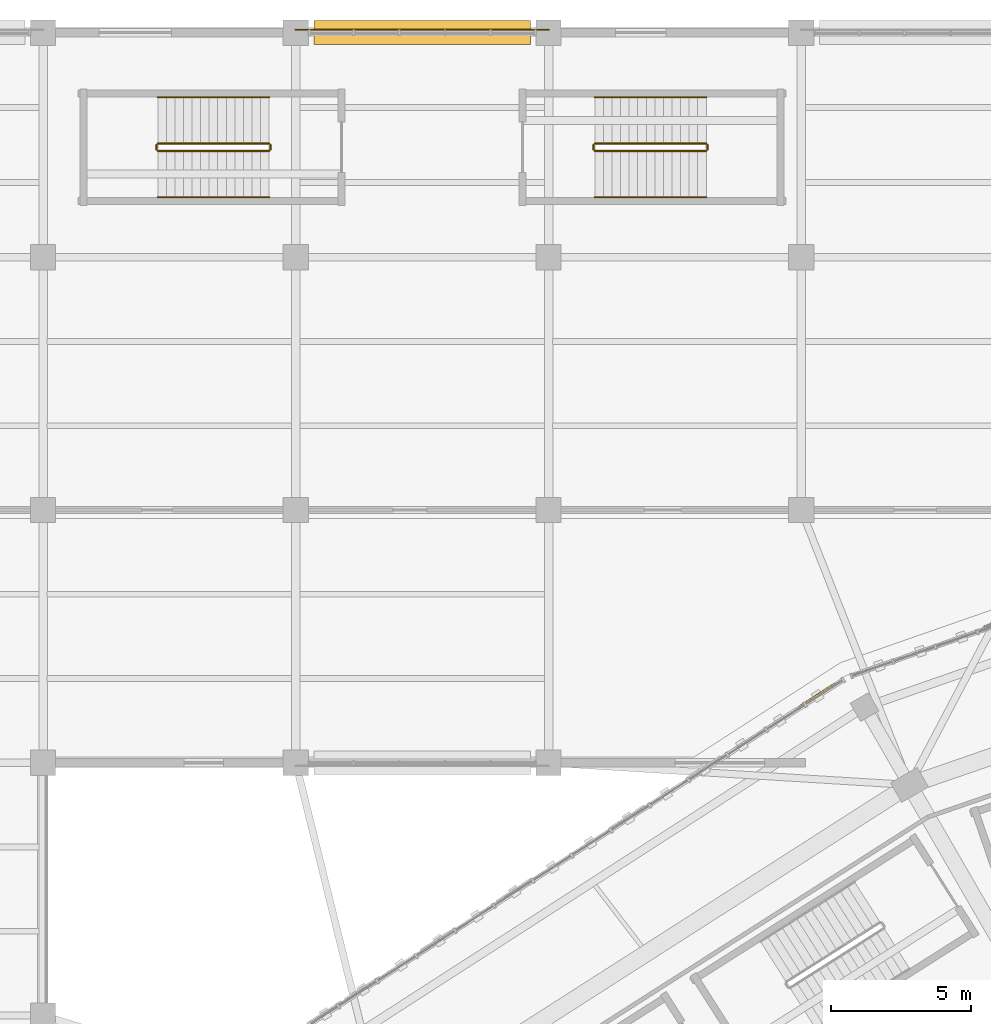
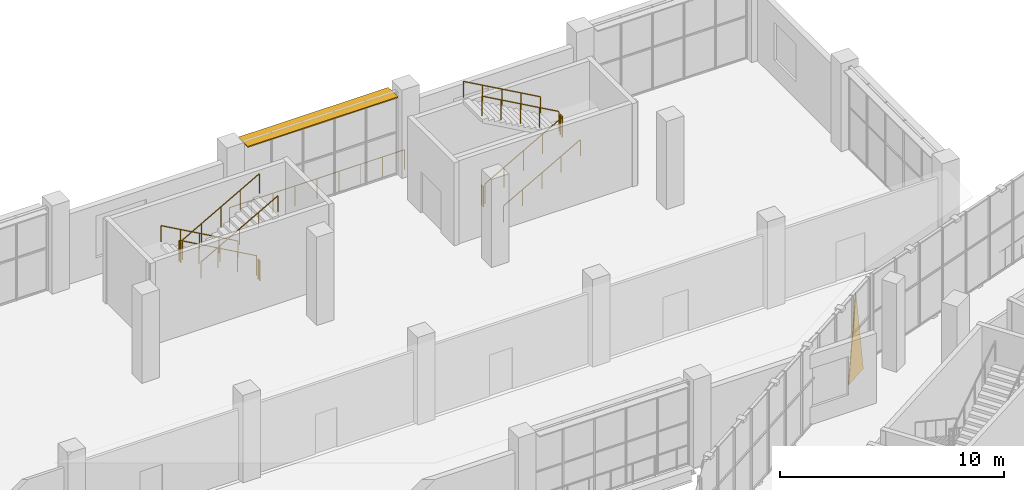
# One storey, part 164 of 183: 13 railings, 1 covering, 1 shading device.
"""IFC4 building model written with IfcOpenShell, lengths in metres."""

from ifc_helpers import new_model, si_unit, direction, frame, origin, origin_2d, place, context, subcontext, project, spatial, polyline, rectangle, circle, outline, extrude, material, layer, layer_set, type_object, element, save


model = new_model("IFC4")

# Units and contexts
model_context = context("Model", 3, precision=1e-05, world=origin(), true_north=direction((0.0, 1.0)))
body_context = subcontext(model_context, "Body", "Model", "MODEL_VIEW")
ifc_project = project(units=[si_unit("LENGTHUNIT", "METRE"), si_unit("AREAUNIT", "SQUARE_METRE"), si_unit("VOLUMEUNIT", "CUBIC_METRE"), si_unit("PLANEANGLEUNIT", "RADIAN"), si_unit("MASSUNIT", "GRAM", prefix="KILO")], contexts=[model_context])

# Site, building, storey
site_placement = place(None, origin())
site = spatial("IfcSite", under=ifc_project, at=site_placement, CompositionType="ELEMENT")
building_placement = place(site_placement, origin())
building = spatial("IfcBuilding", under=site, at=building_placement, Name="Zevraka Park Crest Stadium", CompositionType="ELEMENT")
storey_placement = place(building_placement, frame((0.0, 0.0, 5.39990234375)))
storey = spatial("IfcBuildingStorey", under=building, at=storey_placement, Name="L01", CompositionType="ELEMENT", Elevation=5.39990234375)

# Covering
ifc_material_1 = material(Name="Architectural golden-bronze perforated aluminium", Category="aluminium")
ifc_layer_1 = layer(ifc_material_1, 0.034912109375)
ifc_layer_set_1 = layer_set([ifc_layer_1], Name="Architectural golden-bronze perforated aluminium")
covering_type = type_object("IfcCoveringType", Name="CLD01", PredefinedType="CLADDING", material=ifc_layer_set_1)
covering_placement = place(storey_placement, frame((64.155029296875, 160.821044921875, -0.260009765625), z_axis=(-0.542438504887, 0.840095510683, 3.668756e-05), x_axis=(-0.840095511248, -0.542438505252, 0.0)))
element("IfcCovering", 1, at=covering_placement, inside=storey, type_object=covering_type, Name="Triangular Golden-Bronze Perforated Cladding L01-08-1", PredefinedType="CLADDING", context=body_context, shape_type="SweptSolid", body=[
    extrude(outline(polyline([(0.0, 0.0), (1.4452063031746218, 0.0), (0.7225668165035711, 4.6000976593458125), (0.0, 0.0)])), origin(), (0.0, 0.0, -1.0), 0.034912109375),
])

# Railings
ifc_material_2 = material(Name="Galvanised and bronze-finished steel balustrade", Category="steel")
railing_type_1 = type_object("IfcRailingType", Name="GR01", PredefinedType="GUARDRAIL", material=ifc_material_2)
railing_1_placement = place(storey_placement, frame((44.990966796875, 184.10498046875, 0.0)))
element("IfcRailing", 2, at=railing_1_placement, inside=storey, type_object=railing_type_1, Name="Deck Edge Protection Guardrail GR01 L01-3", PredefinedType="GUARDRAIL", context=body_context, shape_type="SweptSolid", body=[
    extrude(circle(Radius=0.02392578125, at=origin_2d()), frame((0.0, 0.0, 1.076171875), z_axis=(1.0, 0.0, 0.0), x_axis=(0.0, 1.0, 0.0)), (0.0, 0.0, 1.0), 9.01806640625),
    extrude(circle(Radius=0.02099609375, at=origin_2d()), origin(), (0.0, 0.0, 1.0), 1.052001953125),
    extrude(circle(Radius=0.02099609375, at=origin_2d()), frame((1.127197265625, 0.0, 0.0)), (0.0, 0.0, 1.0), 1.052001953125),
    extrude(circle(Radius=0.02099609375, at=origin_2d()), frame((2.25439453125, 0.0, 0.0)), (0.0, 0.0, 1.0), 1.052001953125),
    extrude(circle(Radius=0.02099609375, at=origin_2d()), frame((3.3818359375, 0.0, 0.0)), (0.0, 0.0, 1.0), 1.052001953125),
    extrude(circle(Radius=0.02099609375, at=origin_2d()), frame((4.509033203125, 0.0, 0.0)), (0.0, 0.0, 1.0), 1.052001953125),
    extrude(circle(Radius=0.02099609375, at=origin_2d()), frame((5.63623046875, 0.0, 0.0)), (0.0, 0.0, 1.0), 1.052001953125),
    extrude(circle(Radius=0.02099609375, at=origin_2d()), frame((6.763671875, 0.0, 0.0)), (0.0, 0.0, 1.0), 1.052001953125),
    extrude(circle(Radius=0.02099609375, at=origin_2d()), frame((7.890869140625, 0.0, 0.0)), (0.0, 0.0, 1.0), 1.052001953125),
    extrude(circle(Radius=0.02099609375, at=origin_2d()), frame((9.01806640625, 0.0, 0.0)), (0.0, 0.0, 1.0), 1.052001953125),
])
ifc_material_3 = material(Name="Powder-coated tubular steel stairwell guard", Category="steel")
railing_type_2 = type_object("IfcRailingType", Name="GR03", PredefinedType="GUARDRAIL", material=ifc_material_3)
railing_2_placement = place(storey_placement, frame((44.050048828125, 180.050048828125, 0.171630859375)))
element("IfcRailing", 3, at=railing_2_placement, inside=storey, type_object=railing_type_2, Name="L01 ST49 stair guard 1", PredefinedType="GUARDRAIL", context=body_context, shape_type="SweptSolid", body=[
    extrude(circle(Radius=0.02392578125, at=origin_2d()), frame((0.0, 0.0, 1.076171875), z_axis=(-0.871748933509, 0.0, 0.489952851738), x_axis=(0.0, -1.0, 0.0)), (0.0, 0.0, 1.0), 4.54833984375),
    extrude(circle(Radius=0.02099609375, at=origin_2d()), origin(), (0.0, 0.0, 1.0), 1.052001953125),
    extrude(circle(Radius=0.02099609375, at=origin_2d()), frame((-0.9912109375, 0.0, 0.55712890625)), (0.0, 0.0, 1.0), 1.052001953125),
    extrude(circle(Radius=0.02099609375, at=origin_2d()), frame((-1.982421875, 0.0, 1.1142578125)), (0.0, 0.0, 1.0), 1.052001953125),
    extrude(circle(Radius=0.02099609375, at=origin_2d()), frame((-2.973876953125, 0.0, 1.67138671875)), (0.0, 0.0, 1.0), 1.052001953125),
    extrude(circle(Radius=0.02099609375, at=origin_2d()), frame((-3.965087890625, 0.0, 2.228515625)), (0.0, 0.0, 1.0), 1.052001953125),
])
railing_3_placement = place(storey_placement, frame((40.034912109375, 180.0, 2.400146484375)))
element("IfcRailing", 4, at=railing_3_placement, inside=storey, type_object=railing_type_2, Name="L01 ST49 stair guard 2", PredefinedType="GUARDRAIL", context=body_context, shape_type="SweptSolid", body=[
    extrude(circle(Radius=0.02392578125, at=origin_2d()), frame((0.0, 0.0, 1.076171875), z_axis=(0.0, -1.0, 0.0), x_axis=(1.0, 0.0, 0.0)), (0.0, 0.0, 1.0), 0.159912109375),
    extrude(circle(Radius=0.02099609375, at=origin_2d()), origin(), (0.0, 0.0, 1.0), 1.052001953125),
    extrude(circle(Radius=0.02099609375, at=origin_2d()), frame((0.0, -0.159912109375, 0.0)), (0.0, 0.0, 1.0), 1.052001953125),
])
railing_4_placement = place(storey_placement, frame((40.0849609375, 179.7900390625, 2.571533203125)))
element("IfcRailing", 5, at=railing_4_placement, inside=storey, type_object=railing_type_2, Name="L01 ST49 stair guard 3", PredefinedType="GUARDRAIL", context=body_context, shape_type="SweptSolid", body=[
    extrude(circle(Radius=0.02392578125, at=origin_2d()), frame((0.0, 0.0, 1.076171875), z_axis=(0.871748933509, 0.0, 0.489952851738), x_axis=(0.0, 1.0, 0.0)), (0.0, 0.0, 1.0), 4.54833984375),
    extrude(circle(Radius=0.02099609375, at=origin_2d()), origin(), (0.0, 0.0, 1.0), 1.052001953125),
    extrude(circle(Radius=0.02099609375, at=origin_2d()), frame((0.9912109375, 0.0, 0.55712890625)), (0.0, 0.0, 1.0), 1.052001953125),
    extrude(circle(Radius=0.02099609375, at=origin_2d()), frame((1.982421875, 0.0, 1.1142578125)), (0.0, 0.0, 1.0), 1.052001953125),
    extrude(circle(Radius=0.02099609375, at=origin_2d()), frame((2.973876953125, 0.0, 1.67138671875)), (0.0, 0.0, 1.0), 1.052001953125),
    extrude(circle(Radius=0.02099609375, at=origin_2d()), frame((3.965087890625, 0.0, 2.228515625)), (0.0, 0.0, 1.0), 1.052001953125),
])
railing_5_placement = place(storey_placement, frame((44.10009765625, 180.0, 0.0)))
element("IfcRailing", 6, at=railing_5_placement, inside=storey, type_object=railing_type_2, Name="L01 ST49 stair guard 4", PredefinedType="GUARDRAIL", context=body_context, shape_type="SweptSolid", body=[
    extrude(circle(Radius=0.02392578125, at=origin_2d()), frame((0.0, 0.0, 1.076171875), z_axis=(0.0, -1.0, 0.0), x_axis=(1.0, 0.0, 0.0)), (0.0, 0.0, 1.0), 0.159912109375),
    extrude(circle(Radius=0.02099609375, at=origin_2d()), origin(), (0.0, 0.0, 1.0), 1.052001953125),
    extrude(circle(Radius=0.02099609375, at=origin_2d()), frame((0.0, -0.159912109375, 0.0)), (0.0, 0.0, 1.0), 1.052001953125),
])
railing_6_placement = place(storey_placement, frame((55.64990234375, 179.7900390625, 0.171630859375)))
element("IfcRailing", 7, at=railing_6_placement, inside=storey, type_object=railing_type_2, Name="L01 ST50 stair guard 1", PredefinedType="GUARDRAIL", context=body_context, shape_type="SweptSolid", body=[
    extrude(circle(Radius=0.02392578125, at=origin_2d()), frame((0.0, 0.0, 1.076171875), z_axis=(0.871748933509, 0.0, 0.489952851738), x_axis=(0.0, 1.0, 0.0)), (0.0, 0.0, 1.0), 4.54833984375),
    extrude(circle(Radius=0.02099609375, at=origin_2d()), origin(), (0.0, 0.0, 1.0), 1.052001953125),
    extrude(circle(Radius=0.02099609375, at=origin_2d()), frame((0.9912109375, 0.0, 0.55712890625)), (0.0, 0.0, 1.0), 1.052001953125),
    extrude(circle(Radius=0.02099609375, at=origin_2d()), frame((1.982421875, 0.0, 1.1142578125)), (0.0, 0.0, 1.0), 1.052001953125),
    extrude(circle(Radius=0.02099609375, at=origin_2d()), frame((2.973876953125, 0.0, 1.67138671875)), (0.0, 0.0, 1.0), 1.052001953125),
    extrude(circle(Radius=0.02099609375, at=origin_2d()), frame((3.965087890625, 0.0, 2.228515625)), (0.0, 0.0, 1.0), 1.052001953125),
])
railing_7_placement = place(storey_placement, frame((59.6650390625, 179.840087890625, 2.400146484375)))
element("IfcRailing", 8, at=railing_7_placement, inside=storey, type_object=railing_type_2, Name="L01 ST50 stair guard 2", PredefinedType="GUARDRAIL", context=body_context, shape_type="SweptSolid", body=[
    extrude(circle(Radius=0.02392578125, at=origin_2d()), frame((0.0, 0.0, 1.076171875), z_axis=(0.0, 1.0, 0.0), x_axis=(-1.0, 0.0, 0.0)), (0.0, 0.0, 1.0), 0.159912109375),
    extrude(circle(Radius=0.02099609375, at=origin_2d()), origin(), (0.0, 0.0, 1.0), 1.052001953125),
    extrude(circle(Radius=0.02099609375, at=origin_2d()), frame((0.0, 0.159912109375, 0.0)), (0.0, 0.0, 1.0), 1.052001953125),
])
railing_8_placement = place(storey_placement, frame((59.614990234375, 180.050048828125, 2.571533203125)))
element("IfcRailing", 9, at=railing_8_placement, inside=storey, type_object=railing_type_2, Name="L01 ST50 stair guard 3", PredefinedType="GUARDRAIL", context=body_context, shape_type="SweptSolid", body=[
    extrude(circle(Radius=0.02392578125, at=origin_2d()), frame((0.0, 0.0, 1.076171875), z_axis=(-0.871748933509, 0.0, 0.489952851738), x_axis=(0.0, -1.0, 0.0)), (0.0, 0.0, 1.0), 4.54833984375),
    extrude(circle(Radius=0.02099609375, at=origin_2d()), origin(), (0.0, 0.0, 1.0), 1.052001953125),
    extrude(circle(Radius=0.02099609375, at=origin_2d()), frame((-0.9912109375, 0.0, 0.55712890625)), (0.0, 0.0, 1.0), 1.052001953125),
    extrude(circle(Radius=0.02099609375, at=origin_2d()), frame((-1.982421875, 0.0, 1.1142578125)), (0.0, 0.0, 1.0), 1.052001953125),
    extrude(circle(Radius=0.02099609375, at=origin_2d()), frame((-2.973876953125, 0.0, 1.67138671875)), (0.0, 0.0, 1.0), 1.052001953125),
    extrude(circle(Radius=0.02099609375, at=origin_2d()), frame((-3.965087890625, 0.0, 2.228515625)), (0.0, 0.0, 1.0), 1.052001953125),
])
railing_9_placement = place(storey_placement, frame((55.60009765625, 179.840087890625, 0.0)))
element("IfcRailing", 10, at=railing_9_placement, inside=storey, type_object=railing_type_2, Name="L01 ST50 stair guard 4", PredefinedType="GUARDRAIL", context=body_context, shape_type="SweptSolid", body=[
    extrude(circle(Radius=0.02392578125, at=origin_2d()), frame((0.0, 0.0, 1.076171875), z_axis=(0.0, 1.0, 0.0), x_axis=(-1.0, 0.0, 0.0)), (0.0, 0.0, 1.0), 0.159912109375),
    extrude(circle(Radius=0.02099609375, at=origin_2d()), origin(), (0.0, 0.0, 1.0), 1.052001953125),
    extrude(circle(Radius=0.02099609375, at=origin_2d()), frame((0.0, 0.159912109375, 0.0)), (0.0, 0.0, 1.0), 1.052001953125),
])
ifc_material_4 = material(Name="Brushed stainless steel continuous handrail", Category="steel")
railing_type_3 = type_object("IfcRailingType", Name="HR01", PredefinedType="HANDRAIL", material=ifc_material_4)
railing_10_placement = place(storey_placement, frame((44.050048828125, 181.699951171875, 0.171630859375)))
element("IfcRailing", 11, at=railing_10_placement, inside=storey, type_object=railing_type_3, Name="L01 ST49 stair handrail 1", PredefinedType="HANDRAIL", context=body_context, shape_type="SweptSolid", body=[
    extrude(circle(Radius=0.02392578125, at=origin_2d()), frame((0.0, 0.0, 0.8759765625), z_axis=(-0.871748933509, 0.0, 0.489952851738), x_axis=(0.0, -1.0, 0.0)), (0.0, 0.0, 1.0), 4.54833984375),
    extrude(circle(Radius=0.02099609375, at=origin_2d()), origin(), (0.0, 0.0, 1.0), 0.851806640625),
    extrude(circle(Radius=0.02099609375, at=origin_2d()), frame((-0.9912109375, 0.0, 0.55712890625)), (0.0, 0.0, 1.0), 0.851806640625),
    extrude(circle(Radius=0.02099609375, at=origin_2d()), frame((-1.982421875, 0.0, 1.1142578125)), (0.0, 0.0, 1.0), 0.851806640625),
    extrude(circle(Radius=0.02099609375, at=origin_2d()), frame((-2.973876953125, 0.0, 1.67138671875)), (0.0, 0.0, 1.0), 0.851806640625),
    extrude(circle(Radius=0.02099609375, at=origin_2d()), frame((-3.965087890625, 0.0, 2.228515625)), (0.0, 0.0, 1.0), 0.851806640625),
])
for number, where, name in (
    (12, (40.0849609375, 178.139892578125, 2.571533203125), "L01 ST49 stair handrail 2"),
    (13, (55.64990234375, 178.139892578125, 0.171630859375), "L01 ST50 stair handrail 1"),
):
    element("IfcRailing", number, at=place(storey_placement, frame(where)), inside=storey, type_object=railing_type_3, Name=name, PredefinedType="HANDRAIL", context=body_context, shape_type="SweptSolid", body=[
        extrude(circle(Radius=0.02392578125, at=origin_2d()), frame((0.0, 0.0, 0.8759765625), z_axis=(0.871748933509, 0.0, 0.489952851738), x_axis=(0.0, 1.0, 0.0)), (0.0, 0.0, 1.0), 4.54833984375),
        extrude(circle(Radius=0.02099609375, at=origin_2d()), origin(), (0.0, 0.0, 1.0), 0.851806640625),
        extrude(circle(Radius=0.02099609375, at=origin_2d()), frame((0.9912109375, 0.0, 0.55712890625)), (0.0, 0.0, 1.0), 0.851806640625),
        extrude(circle(Radius=0.02099609375, at=origin_2d()), frame((1.982421875, 0.0, 1.1142578125)), (0.0, 0.0, 1.0), 0.851806640625),
        extrude(circle(Radius=0.02099609375, at=origin_2d()), frame((2.973876953125, 0.0, 1.67138671875)), (0.0, 0.0, 1.0), 0.851806640625),
        extrude(circle(Radius=0.02099609375, at=origin_2d()), frame((3.965087890625, 0.0, 2.228515625)), (0.0, 0.0, 1.0), 0.851806640625),
    ])
railing_11_placement = place(storey_placement, frame((59.614990234375, 181.699951171875, 2.571533203125)))
element("IfcRailing", 14, at=railing_11_placement, inside=storey, type_object=railing_type_3, Name="L01 ST50 stair handrail 2", PredefinedType="HANDRAIL", context=body_context, shape_type="SweptSolid", body=[
    extrude(circle(Radius=0.02392578125, at=origin_2d()), frame((0.0, 0.0, 0.8759765625), z_axis=(-0.871748933509, 0.0, 0.489952851738), x_axis=(0.0, -1.0, 0.0)), (0.0, 0.0, 1.0), 4.54833984375),
    extrude(circle(Radius=0.02099609375, at=origin_2d()), origin(), (0.0, 0.0, 1.0), 0.851806640625),
    extrude(circle(Radius=0.02099609375, at=origin_2d()), frame((-0.9912109375, 0.0, 0.55712890625)), (0.0, 0.0, 1.0), 0.851806640625),
    extrude(circle(Radius=0.02099609375, at=origin_2d()), frame((-1.982421875, 0.0, 1.1142578125)), (0.0, 0.0, 1.0), 0.851806640625),
    extrude(circle(Radius=0.02099609375, at=origin_2d()), frame((-2.973876953125, 0.0, 1.67138671875)), (0.0, 0.0, 1.0), 0.851806640625),
    extrude(circle(Radius=0.02099609375, at=origin_2d()), frame((-3.965087890625, 0.0, 2.228515625)), (0.0, 0.0, 1.0), 0.851806640625),
])

# Shading device
ifc_material_5 = material(Name="Architectural golden-bronze anodised bronze", Category="aluminium")
ifc_layer_2 = layer(ifc_material_5, 0.06005859375)
ifc_layer_set_2 = layer_set([ifc_layer_2], Name="Architectural golden-bronze anodised bronze")
shading_device_type = type_object("IfcShadingDeviceType", Name="SHD01", PredefinedType="USERDEFINED", material=ifc_layer_set_2)
shading_device_placement = place(storey_placement, frame((49.5, 184.0, 4.440185546875), z_axis=(0.0, 0.0, 1.0), x_axis=(1.0, 0.0, 0.0)))
element("IfcShadingDevice", 15, at=shading_device_placement, inside=storey, type_object=shading_device_type, Name="Wing Bronze Solar Screen SHD01 L01-NW-N-6", ObjectType="SOLAR SCREEN", PredefinedType="USERDEFINED", context=body_context, shape_type="SweptSolid", body=[
    extrude(rectangle(XDim=7.719970703125, YDim=0.85009765625, at=origin_2d()), origin(), (0.0, 0.0, 1.0), 0.06005859375),
])

save(model, "model.ifc")
